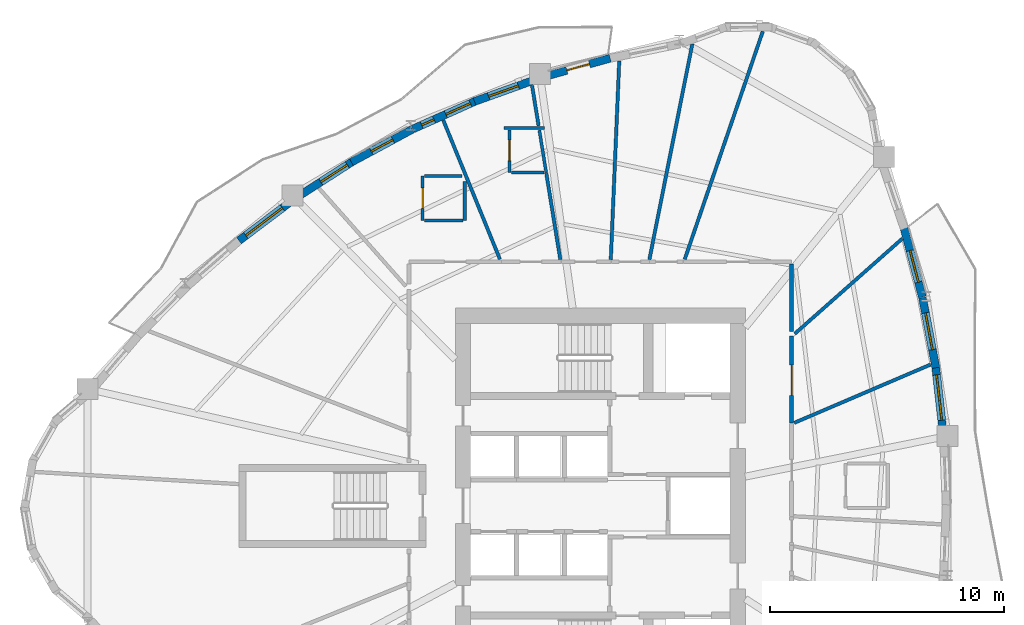
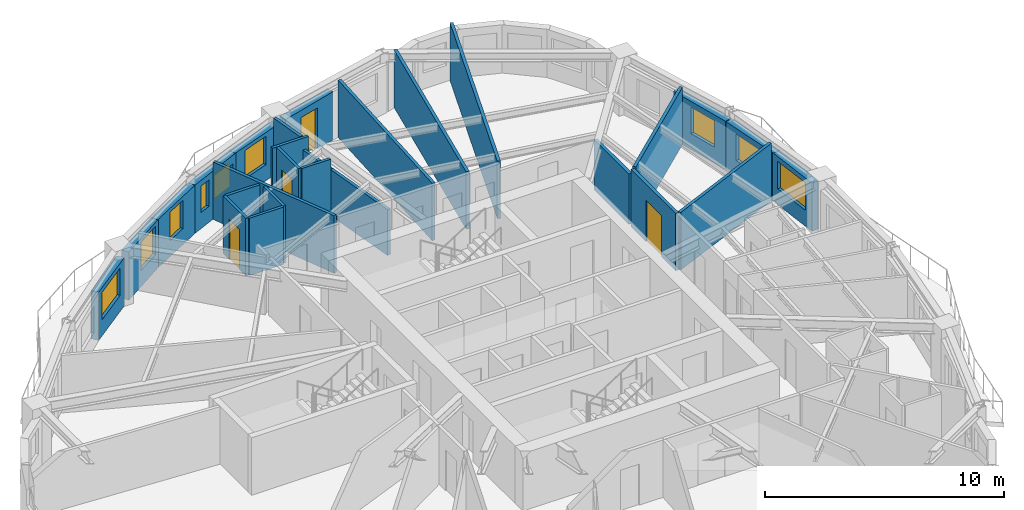
# One storey, part 8 of 13: 27 walls, 9 windows, 4 doors, 13 openings.
"""IFC4 building model written with IfcOpenShell, lengths in metres."""

from ifc_helpers import new_model, si_unit, direction, frame, frame_2d, origin, place, context, subcontext, project, spatial, rectangle, extrude, source, transform, mapped, material, layer, layer_set, type_object, element, fill, save


model = new_model("IFC4")

# Units and contexts
model_context = context("Model", 3, precision=1e-05, world=origin(), true_north=direction((0.0, 1.0)))
body_context = subcontext(model_context, "Body", "Model", "MODEL_VIEW")
ifc_project = project(units=[si_unit("LENGTHUNIT", "METRE"), si_unit("AREAUNIT", "SQUARE_METRE"), si_unit("VOLUMEUNIT", "CUBIC_METRE"), si_unit("PLANEANGLEUNIT", "RADIAN"), si_unit("MASSUNIT", "GRAM", prefix="KILO")], contexts=[model_context])

# Site, building, storey
site_placement = place(None, origin())
site = spatial("IfcSite", under=ifc_project, at=site_placement, CompositionType="ELEMENT")
building_placement = place(site_placement, origin())
building = spatial("IfcBuilding", under=site, at=building_placement, Name="Qafzar Sky-Pleat Residences", CompositionType="ELEMENT")
storey_placement = place(building_placement, frame((0.0, 0.0, 105.60009765625)))
storey = spatial("IfcBuildingStorey", under=building, at=storey_placement, Name="L31", CompositionType="ELEMENT", Elevation=105.60009765625)

# Wall, opening, door
ifc_material_1 = material(Name="Acoustic gypsum plasterboard partition", Category="gypsum")
ifc_layer_1 = layer(ifc_material_1, 0.159912109375)
ifc_layer_set_1 = layer_set([ifc_layer_1], Name="Acoustic gypsum plasterboard partition")
wall_type_1 = type_object("IfcWallType", Name="PART-COR-160", PredefinedType="PARTITIONING", material=ifc_layer_set_1)
wall_1_placement = place(storey_placement, frame((38.530029296875, 33.2548828125, 0.0), z_axis=(0.0, 0.0, 1.0), x_axis=(0.0, -1.0, 0.0)))
wall_1 = element("IfcWall", 1, at=wall_1_placement, inside=storey, type_object=wall_type_1, Name="L31 Partition Wall PART-L31-PW-007", PredefinedType="PARTITIONING", context=body_context, shape_type="SweptSolid", body=[
    extrude(rectangle(XDim=3.725830078125, YDim=0.159912109375, at=frame_2d((1.86279296875, 0.0))), origin(), (0.0, 0.0, 1.0), 2.934814453125),
])
opening_1_placement = place(wall_1_placement, frame((1.238525390625, 0.0, 0.0)))
opening_1 = element("IfcOpeningElement", 2, at=opening_1_placement, cuts=wall_1, Name="Opening ID-05", PredefinedType="OPENING", context=body_context, shape_type="SweptSolid", body=[
    extrude(rectangle(XDim=1.300048828125, YDim=2.10009765625, at=frame_2d((0.64990234375, 1.050048828125))), frame((0.0, 0.08984375, 0.0), z_axis=(0.0, -1.0, 0.0), x_axis=(1.0, 0.0, 0.0)), (0.0, 0.0, 1.0), 0.179931640625),
])
ifc_material_2 = material(Name="Timber-faced fire door", Category="wood")
door_type_1 = type_object("IfcDoorType", Name="DR-LNG-1300", OperationType="DOUBLE_DOOR_SINGLE_SWING", PredefinedType="DOOR", material=ifc_material_2)
shared_shape_1 = source(origin(), body_context, "Body", "SweptSolid", [
    extrude(rectangle(XDim=1.300048828125, YDim=2.10009765625, at=frame_2d((0.64990234375, 1.050048828125))), frame((0.0, 0.02490234375, 0.0), z_axis=(0.0, -1.0, 0.0), x_axis=(1.0, 0.0, 0.0)), (0.0, 0.0, 1.0), 0.050048828125),
])
door_1_placement = place(opening_1_placement, origin())
door_1 = element("IfcDoor", 3, at=door_1_placement, inside=storey, type_object=door_type_1, Name="L31 Communal Kitchen Door", OperationType="DOUBLE_DOOR_SINGLE_SWING", OverallHeight=2.10009765625, OverallWidth=1.300048828125, PredefinedType="DOOR", context=body_context, shape_type="MappedRepresentation", body=[
    mapped(shared_shape_1, transform((0.0, 0.0, 0.0), x_axis=(1.0, 0.0, 0.0), y_axis=(0.0, 1.0, 0.0), z_axis=(0.0, 0.0, 1.0), scale=1.0)),
])
fill(opening_1, door_1)

# Walls
wall_2_placement = place(storey_placement, frame((38.530029296875, 33.445556640625, 0.0), z_axis=(0.0, 0.0, 1.0), x_axis=(0.0, 1.0, 0.0)))
element("IfcWall", 4, at=wall_2_placement, inside=storey, type_object=wall_type_1, Name="L31 Partition Wall PART-L31-PW-051", PredefinedType="PARTITIONING", context=body_context, shape_type="SweptSolid", body=[
    extrude(rectangle(XDim=2.896484375, YDim=0.159912109375, at=frame_2d((1.4482421875, 0.0))), origin(), (0.0, 0.0, 1.0), 2.572998046875),
])
ifc_layer_2 = layer(ifc_material_1, 0.14501953125)
ifc_layer_set_2 = layer_set([ifc_layer_2], Name="Acoustic gypsum plasterboard partition")
wall_type_2 = type_object("IfcWallType", Name="PART-UNIT-145", PredefinedType="PARTITIONING", material=ifc_layer_set_2)
wall_3_placement = place(storey_placement, frame((33.9599609375, 36.541015625, 0.0), z_axis=(0.0, 0.0, 1.0), x_axis=(0.324058346196, 0.946037096662, 0.0)))
element("IfcWall", 5, at=wall_3_placement, inside=storey, type_object=wall_type_2, Name="L31 Partition Wall PART-L31-PW-033", PredefinedType="PARTITIONING", context=body_context, shape_type="SweptSolid", body=[
    extrude(rectangle(XDim=10.302490234375, YDim=0.14501953125, at=frame_2d((5.1513671875, 0.0))), origin(), (0.0, 0.0, 1.0), 2.934814453125),
])
wall_4_placement = place(storey_placement, frame((32.4482421875, 36.531982421875, 0.0), z_axis=(0.0, 0.0, 1.0), x_axis=(0.195406965811, 0.980722242897, 0.0)))
element("IfcWall", 6, at=wall_4_placement, inside=storey, type_object=wall_type_2, Name="L31 Partition Wall PART-L31-PW-036", PredefinedType="PARTITIONING", context=body_context, shape_type="SweptSolid", body=[
    extrude(rectangle(XDim=9.401611328125, YDim=0.14501953125, at=frame_2d((4.70068359375, 0.0))), origin(), (0.0, 0.0, 1.0), 2.934814453125),
])
wall_5_placement = place(storey_placement, frame((30.7978515625, 36.52099609375, 0.0), z_axis=(0.0, 0.0, 1.0), x_axis=(0.042521424142, 0.999095555234, 0.0)))
element("IfcWall", 7, at=wall_5_placement, inside=storey, type_object=wall_type_2, Name="L31 Partition Wall PART-L31-PW-039", PredefinedType="PARTITIONING", context=body_context, shape_type="SweptSolid", body=[
    extrude(rectangle(XDim=8.50341796875, YDim=0.14501953125, at=frame_2d((4.251708984375, 0.0))), origin(), (0.0, 0.0, 1.0), 2.934814453125),
])
wall_6_placement = place(storey_placement, frame((23.6328125, 42.4931640625, 0.0), z_axis=(0.0, 0.0, 1.0), x_axis=(0.37719666663, -0.926133184096, 0.0)))
element("IfcWall", 8, at=wall_6_placement, inside=storey, type_object=wall_type_2, Name="L31 Partition Wall PART-L31-PW-041", PredefinedType="PARTITIONING", context=body_context, shape_type="SweptSolid", body=[
    extrude(rectangle(XDim=6.422607421875, YDim=0.14501953125, at=frame_2d((3.21142578125, 0.0))), origin(), (0.0, 0.0, 1.0), 2.934814453125),
])
wall_7_placement = place(storey_placement, frame((38.64599609375, 29.54638671875, 0.0), z_axis=(0.0, 0.0, 1.0), x_axis=(0.919441504603, 0.393226804293, 0.0)))
element("IfcWall", 9, at=wall_7_placement, inside=storey, type_object=wall_type_2, Name="L31 Partition Wall PART-L31-PW-042", PredefinedType="PARTITIONING", context=body_context, shape_type="SweptSolid", body=[
    extrude(rectangle(XDim=6.3408203125, YDim=0.14501953125, at=frame_2d((3.17041015625, 0.0))), origin(), (0.0, 0.0, 1.0), 2.934814453125),
])
wall_8_placement = place(storey_placement, frame((38.6640625, 33.3544921875, 0.0), z_axis=(0.0, 0.0, 1.0), x_axis=(0.749069296105, 0.662491652501, 0.0)))
element("IfcWall", 10, at=wall_8_placement, inside=storey, type_object=wall_type_2, Name="L31 Partition Wall PART-L31-PW-046", PredefinedType="PARTITIONING", context=body_context, shape_type="SweptSolid", body=[
    extrude(rectangle(XDim=6.150146484375, YDim=0.14501953125, at=frame_2d((3.0751953125, 0.0))), origin(), (0.0, 0.0, 1.0), 2.934814453125),
])
wall_9_placement = place(storey_placement, frame((28.035888671875, 40.24609375, 0.0), z_axis=(0.0, 0.0, 1.0), x_axis=(0.160412651813, -0.987050039835, 0.0)))
element("IfcWall", 11, at=wall_9_placement, inside=storey, type_object=wall_type_2, Name="L31 Partition Wall PART-L31-PW-048", PredefinedType="PARTITIONING", context=body_context, shape_type="SweptSolid", body=[
    extrude(rectangle(XDim=3.765380859375, YDim=0.14501953125, at=frame_2d((1.8828125, 0.0))), origin(), (0.0, 0.0, 1.0), 2.352783203125),
])
wall_10_placement = place(storey_placement, frame((27.430908203125, 43.97119140625, 0.0), z_axis=(0.0, 0.0, 1.0), x_axis=(0.160707234414, -0.987002119961, 0.0)))
element("IfcWall", 12, at=wall_10_placement, inside=storey, type_object=wall_type_2, Name="L31 Partition Wall PART-L31-PW-060", PredefinedType="PARTITIONING", context=body_context, shape_type="SweptSolid", body=[
    extrude(rectangle(XDim=1.74853515625, YDim=0.14501953125, at=frame_2d((0.874267578125, 0.0))), origin(), (0.0, 0.0, 1.0), 2.934814453125),
])

# Wall, opening, door
ifc_material_3 = material(Name="Moisture-resistant gypsum partition", Category="gypsum")
ifc_layer_3 = layer(ifc_material_3, 0.1298828125)
ifc_layer_set_3 = layer_set([ifc_layer_3], Name="Moisture-resistant gypsum partition")
wall_type_3 = type_object("IfcWallType", Name="PART-WET-130", PredefinedType="PARTITIONING", material=ifc_layer_set_3)
wall_11_placement = place(storey_placement, frame((26.468994140625, 42.072998046875, 0.0), z_axis=(0.0, 0.0, 1.0), x_axis=(0.0, -1.0, 0.0)))
wall_11 = element("IfcWall", 13, at=wall_11_placement, inside=storey, type_object=wall_type_3, Name="L31 Partition Wall PART-L31-PW-022", PredefinedType="PARTITIONING", context=body_context, shape_type="SweptSolid", body=[
    extrude(rectangle(XDim=1.826904296875, YDim=0.1298828125, at=frame_2d((0.91357421875, 0.0))), origin(), (0.0, 0.0, 1.0), 2.934814453125),
])
opening_2_placement = place(wall_11_placement, frame((0.43701171875, 0.0, 0.0)))
opening_2 = element("IfcOpeningElement", 14, at=opening_2_placement, cuts=wall_11, Name="Opening ID-07", PredefinedType="OPENING", context=body_context, shape_type="SweptSolid", body=[
    extrude(rectangle(XDim=0.8798828125, YDim=2.050048828125, at=frame_2d((0.43994140625, 1.02490234375))), frame((0.0, 0.074951171875, 0.0), z_axis=(0.0, -1.0, 0.0), x_axis=(1.0, 0.0, 0.0)), (0.0, 0.0, 1.0), 0.14990234375),
])
door_type_2 = type_object("IfcDoorType", Name="DR-WET-880", OperationType="NOTDEFINED", PredefinedType="DOOR", material=ifc_material_2)
shared_shape_2 = source(origin(), body_context, "Body", "SweptSolid", [
    extrude(rectangle(XDim=0.8798828125, YDim=2.050048828125, at=frame_2d((0.43994140625, 1.02490234375))), frame((0.0, 0.02490234375, 0.0), z_axis=(0.0, -1.0, 0.0), x_axis=(1.0, 0.0, 0.0)), (0.0, 0.0, 1.0), 0.050048828125),
])
door_2_placement = place(opening_2_placement, origin())
door_2 = element("IfcDoor", 15, at=door_2_placement, inside=storey, type_object=door_type_2, Name="L31 En-suite Bathroom 8 Door", OperationType="SINGLE_SWING_LEFT", OverallHeight=2.050048828125, OverallWidth=0.8798828125, PredefinedType="DOOR", context=body_context, shape_type="MappedRepresentation", body=[
    mapped(shared_shape_2, transform((0.0, 0.0, 0.0), x_axis=(1.0, 0.0, 0.0), y_axis=(0.0, 1.0, 0.0), z_axis=(0.0, 0.0, 1.0), scale=1.0)),
])
fill(opening_2, door_2)

wall_12_placement = place(storey_placement, frame((22.7529296875, 40.10693359375, 0.0), z_axis=(0.0, 0.0, 1.0), x_axis=(0.0, -1.0, 0.0)))
wall_12 = element("IfcWall", 16, at=wall_12_placement, inside=storey, type_object=wall_type_3, Name="L31 Partition Wall PART-L31-PW-023", PredefinedType="PARTITIONING", context=body_context, shape_type="SweptSolid", body=[
    extrude(rectangle(XDim=1.89990234375, YDim=0.1298828125, at=frame_2d((0.949951171875, 0.0))), origin(), (0.0, 0.0, 1.0), 2.934814453125),
])
opening_3_placement = place(wall_12_placement, frame((0.510009765625, 0.0, 0.0)))
opening_3 = element("IfcOpeningElement", 17, at=opening_3_placement, cuts=wall_12, Name="Opening ID-07", PredefinedType="OPENING", context=body_context, shape_type="SweptSolid", body=[
    extrude(rectangle(XDim=0.8798828125, YDim=2.050048828125, at=frame_2d((0.43994140625, 1.02490234375))), frame((0.0, 0.074951171875, 0.0), z_axis=(0.0, -1.0, 0.0), x_axis=(1.0, 0.0, 0.0)), (0.0, 0.0, 1.0), 0.14990234375),
])
door_3_placement = place(opening_3_placement, origin())
door_3 = element("IfcDoor", 18, at=door_3_placement, inside=storey, type_object=door_type_2, Name="L31 En-suite Bathroom 10 Door", OperationType="SINGLE_SWING_RIGHT", OverallHeight=2.050048828125, OverallWidth=0.8798828125, PredefinedType="DOOR", context=body_context, shape_type="MappedRepresentation", body=[
    mapped(shared_shape_2, transform((0.0, 0.0, 0.0), x_axis=(1.0, 0.0, 0.0), y_axis=(0.0, 1.0, 0.0), z_axis=(0.0, 0.0, 1.0), scale=1.0)),
])
fill(opening_3, door_3)

# Walls
wall_13_placement = place(storey_placement, frame((27.741455078125, 42.062744140625, 0.0), z_axis=(0.0, 0.0, 1.0), x_axis=(0.160081724147, -0.98710376435, 0.0)))
element("IfcWall", 19, at=wall_13_placement, inside=storey, type_object=wall_type_3, Name="L31 Partition Wall PART-L31-PW-056", PredefinedType="PARTITIONING", context=body_context, shape_type="SweptSolid", body=[
    extrude(rectangle(XDim=1.825439453125, YDim=0.1298828125, at=frame_2d((0.91259765625, 0.0))), origin(), (0.0, 0.0, 1.0), 2.352783203125),
])
wall_14_placement = place(storey_placement, frame((24.552978515625, 38.20703125, 0.0), z_axis=(0.0, 0.0, 1.0), x_axis=(0.0, 1.0, 0.0)))
element("IfcWall", 20, at=wall_14_placement, inside=storey, type_object=wall_type_3, Name="L31 Partition Wall PART-L31-PW-059", PredefinedType="PARTITIONING", context=body_context, shape_type="SweptSolid", body=[
    extrude(rectangle(XDim=1.659912109375, YDim=0.1298828125, at=frame_2d((0.830078125, 0.0))), origin(), (0.0, 0.0, 1.0), 2.934814453125),
])
wall_15_placement = place(storey_placement, frame((22.825927734375, 40.10693359375, 0.0), z_axis=(0.0, 0.0, 1.0), x_axis=(1.0, 0.0, 0.0)))
element("IfcWall", 21, at=wall_15_placement, inside=storey, type_object=wall_type_3, Name="L31 Partition Wall PART-L31-PW-064", PredefinedType="PARTITIONING", context=body_context, shape_type="SweptSolid", body=[
    extrude(rectangle(XDim=1.6142578125, YDim=0.1298828125, at=frame_2d((0.80712890625, 0.0))), origin(), (0.0, 0.0, 1.0), 2.934814453125),
])
wall_16_placement = place(storey_placement, frame((22.825927734375, 38.20703125, 0.0), z_axis=(0.0, 0.0, 1.0), x_axis=(1.0, 0.0, 0.0)))
element("IfcWall", 22, at=wall_16_placement, inside=storey, type_object=wall_type_3, Name="L31 Partition Wall PART-L31-PW-065", PredefinedType="PARTITIONING", context=body_context, shape_type="SweptSolid", body=[
    extrude(rectangle(XDim=1.654052734375, YDim=0.1298828125, at=frame_2d((0.8271484375, 0.0))), origin(), (0.0, 0.0, 1.0), 2.934814453125),
])
wall_17_placement = place(storey_placement, frame((26.5419921875, 40.24609375, 0.0), z_axis=(0.0, 0.0, 1.0), x_axis=(1.0, 0.0, 0.0)))
element("IfcWall", 23, at=wall_17_placement, inside=storey, type_object=wall_type_3, Name="L31 Partition Wall PART-L31-PW-074", PredefinedType="PARTITIONING", context=body_context, shape_type="SweptSolid", body=[
    extrude(rectangle(XDim=1.402099609375, YDim=0.1298828125, at=frame_2d((0.701171875, 0.0))), origin(), (0.0, 0.0, 1.0), 2.934814453125),
])
wall_18_placement = place(storey_placement, frame((26.22900390625, 42.14599609375, 0.0), z_axis=(0.0, 0.0, 1.0), x_axis=(1.0, 0.0, 0.0)))
element("IfcWall", 24, at=wall_18_placement, inside=storey, type_object=wall_type_3, Name="L31 Partition Wall PART-L31-PW-078", PredefinedType="PARTITIONING", context=body_context, shape_type="SweptSolid", body=[
    extrude(rectangle(XDim=1.739013671875, YDim=0.1298828125, at=frame_2d((0.86962890625, 0.0))), origin(), (0.0, 0.0, 1.0), 2.934814453125),
])

# Wall, opening, window
ifc_material_4 = material(Name="Precast concrete C40/50 with honed Riyadh limestone", Category="concrete")
ifc_layer_4 = layer(ifc_material_4, 0.340087890625)
ifc_layer_set_4 = layer_set([ifc_layer_4], Name="Precast concrete C40/50 with honed Riyadh limestone")
wall_type_4 = type_object("IfcWallType", Name="WALL-EXT-340", PredefinedType="SOLIDWALL", material=ifc_layer_set_4)
wall_19_placement = place(storey_placement, frame((45.00439453125, 29.194091796875, 0.0), z_axis=(0.0, 0.0, 1.0), x_axis=(-0.113223342564, 0.993569562083, 0.0)))
wall_19 = element("IfcWall", 25, at=wall_19_placement, inside=storey, type_object=wall_type_4, Name="L31 Limestone Facade Wall 29", PredefinedType="SOLIDWALL", context=body_context, shape_type="SweptSolid", body=[
    extrude(rectangle(XDim=2.811767578125, YDim=0.340087890625, at=frame_2d((1.40576171875, 0.0))), origin(), (0.0, 0.0, 1.0), 2.46484375),
])
opening_4_placement = place(wall_19_placement, frame((0.466064453125, 0.0, 0.820068359375)))
opening_4 = element("IfcOpeningElement", 26, at=opening_4_placement, cuts=wall_19, Name="Opening WN-08", PredefinedType="OPENING", context=body_context, shape_type="SweptSolid", body=[
    extrude(rectangle(XDim=1.949951171875, YDim=1.39990234375, at=frame_2d((0.97509765625, 0.699951171875))), frame((0.0, 0.18017578125, 0.0), z_axis=(0.0, -1.0, 0.0), x_axis=(1.0, 0.0, 0.0)), (0.0, 0.0, 1.0), 0.360107421875),
])
ifc_material_5 = material(Name="Solar-control low-E glass in bronze aluminium frame", Category="glass")
window_type_1 = type_object("IfcWindowType", Name="WIN-08", PartitioningType="DOUBLE_PANEL_VERTICAL", PredefinedType="WINDOW", material=ifc_material_5)
shared_shape_3 = source(origin(), body_context, "Body", "SweptSolid", [
    extrude(rectangle(XDim=1.949951171875, YDim=1.39990234375, at=frame_2d((0.97509765625, 0.699951171875))), frame((0.0, 0.030029296875, 0.0), z_axis=(0.0, -1.0, 0.0), x_axis=(1.0, 0.0, 0.0)), (0.0, 0.0, 1.0), 0.06005859375),
])
window_1_placement = place(opening_4_placement, origin())
window_1 = element("IfcWindow", 27, at=window_1_placement, inside=storey, type_object=window_type_1, Name="L31 Punched Facade Window 29", OverallHeight=1.39990234375, OverallWidth=1.949951171875, PartitioningType="SINGLE_PANEL", PredefinedType="WINDOW", context=body_context, shape_type="MappedRepresentation", body=[
    mapped(shared_shape_3, transform((0.0, 0.0, 0.0), x_axis=(1.0, 0.0, 0.0), y_axis=(0.0, 1.0, 0.0), z_axis=(0.0, 0.0, 1.0), scale=1.0)),
])
fill(opening_4, window_1)

wall_20_placement = place(storey_placement, frame((44.699462890625, 31.900146484375, 0.0), z_axis=(0.0, 0.0, 1.0), x_axis=(-0.186689944156, 0.982418884566, 0.0)))
wall_20 = element("IfcWall", 28, at=wall_20_placement, inside=storey, type_object=wall_type_4, Name="L31 Limestone Facade Wall 30", PredefinedType="SOLIDWALL", context=body_context, shape_type="SweptSolid", body=[
    extrude(rectangle(XDim=3.05615234375, YDim=0.340087890625, at=frame_2d((1.528076171875, 0.0))), origin(), (0.0, 0.0, 1.0), 2.46484375),
])
opening_5_placement = place(wall_20_placement, frame((0.791015625, 0.0, 0.820068359375)))
opening_5 = element("IfcOpeningElement", 29, at=opening_5_placement, cuts=wall_20, Name="Opening WN-09", PredefinedType="OPENING", context=body_context, shape_type="SweptSolid", body=[
    extrude(rectangle(XDim=1.60009765625, YDim=1.35009765625, at=frame_2d((0.800048828125, 0.675048828125))), frame((0.0, 0.18017578125, 0.0), z_axis=(0.0, -1.0, 0.0), x_axis=(1.0, 0.0, 0.0)), (0.0, 0.0, 1.0), 0.360107421875),
])
window_type_2 = type_object("IfcWindowType", Name="WIN-09", PartitioningType="DOUBLE_PANEL_VERTICAL", PredefinedType="WINDOW", material=ifc_material_5)
shared_shape_4 = source(origin(), body_context, "Body", "SweptSolid", [
    extrude(rectangle(XDim=1.60009765625, YDim=1.35009765625, at=frame_2d((0.800048828125, 0.675048828125))), frame((0.0, 0.030029296875, 0.0), z_axis=(0.0, -1.0, 0.0), x_axis=(1.0, 0.0, 0.0)), (0.0, 0.0, 1.0), 0.06005859375),
])
window_2_placement = place(opening_5_placement, origin())
window_2 = element("IfcWindow", 30, at=window_2_placement, inside=storey, type_object=window_type_2, Name="L31 Punched Facade Window 30", OverallHeight=1.35009765625, OverallWidth=1.60009765625, PartitioningType="SINGLE_PANEL", PredefinedType="WINDOW", context=body_context, shape_type="MappedRepresentation", body=[
    mapped(shared_shape_4, transform((0.0, 0.0, 0.0), x_axis=(1.0, 0.0, 0.0), y_axis=(0.0, 1.0, 0.0), z_axis=(0.0, 0.0, 1.0), scale=1.0)),
])
fill(opening_5, window_2)

wall_21_placement = place(storey_placement, frame((44.122802734375, 34.9296875, 0.0), z_axis=(0.0, 0.0, 1.0), x_axis=(-0.257080487516, 0.96638999526, 0.0)))
wall_21 = element("IfcWall", 31, at=wall_21_placement, inside=storey, type_object=wall_type_4, Name="L31 Limestone Facade Wall 31", PredefinedType="SOLIDWALL", context=body_context, shape_type="SweptSolid", body=[
    extrude(rectangle(XDim=3.1064453125, YDim=0.340087890625, at=frame_2d((1.55322265625, 0.0))), origin(), (0.0, 0.0, 1.0), 2.46484375),
])
opening_6_placement = place(wall_21_placement, frame((0.652099609375, 0.0, 0.820068359375)))
opening_6 = element("IfcOpeningElement", 32, at=opening_6_placement, cuts=wall_21, Name="Opening WN-10", PredefinedType="OPENING", context=body_context, shape_type="SweptSolid", body=[
    extrude(rectangle(XDim=1.39990234375, YDim=1.35009765625, at=frame_2d((0.699951171875, 0.675048828125))), frame((0.0, 0.18017578125, 0.0), z_axis=(0.0, -1.0, 0.0), x_axis=(1.0, 0.0, 0.0)), (0.0, 0.0, 1.0), 0.360107421875),
])
window_type_3 = type_object("IfcWindowType", Name="WIN-10", PartitioningType="SINGLE_PANEL", PredefinedType="WINDOW", material=ifc_material_5)
shared_shape_5 = source(origin(), body_context, "Body", "SweptSolid", [
    extrude(rectangle(XDim=1.39990234375, YDim=1.35009765625, at=frame_2d((0.699951171875, 0.675048828125))), frame((0.0, 0.030029296875, 0.0), z_axis=(0.0, -1.0, 0.0), x_axis=(1.0, 0.0, 0.0)), (0.0, 0.0, 1.0), 0.06005859375),
])
window_3_placement = place(opening_6_placement, origin())
window_3 = element("IfcWindow", 33, at=window_3_placement, inside=storey, type_object=window_type_3, Name="L31 Punched Facade Window 31", OverallHeight=1.35009765625, OverallWidth=1.39990234375, PartitioningType="SINGLE_PANEL", PredefinedType="WINDOW", context=body_context, shape_type="MappedRepresentation", body=[
    mapped(shared_shape_5, transform((0.0, 0.0, 0.0), x_axis=(1.0, 0.0, 0.0), y_axis=(0.0, 1.0, 0.0), z_axis=(0.0, 0.0, 1.0), scale=1.0)),
])
fill(opening_6, window_3)

# Wall, opening, door
wall_22_placement = place(storey_placement, frame((30.772705078125, 45.139404296875, 0.0), z_axis=(0.0, 0.0, 1.0), x_axis=(-0.963038749839, -0.269362889627, 0.0)))
wall_22 = element("IfcWall", 34, at=wall_22_placement, inside=storey, type_object=wall_type_4, Name="L31 Limestone Facade Wall 40", PredefinedType="SOLIDWALL", context=body_context, shape_type="SweptSolid", body=[
    extrude(rectangle(XDim=2.8486328125, YDim=0.340087890625, at=frame_2d((1.42431640625, 0.0))), origin(), (0.0, 0.0, 1.0), 2.46484375),
])
opening_7_placement = place(wall_22_placement, frame((0.92431640625, 0.0, 0.0)))
opening_7 = element("IfcOpeningElement", 35, at=opening_7_placement, cuts=wall_22, Name="Opening ED-05", PredefinedType="OPENING", context=body_context, shape_type="SweptSolid", body=[
    extrude(rectangle(XDim=1.0, YDim=2.10009765625, at=frame_2d((0.5, 1.050048828125))), frame((0.0, 0.18017578125, 0.0), z_axis=(0.0, -1.0, 0.0), x_axis=(1.0, 0.0, 0.0)), (0.0, 0.0, 1.0), 0.360107421875),
])
ifc_material_6 = material(Name="Glazed bronze aluminium door", Category="aluminium")
door_type_3 = type_object("IfcDoorType", Name="DR-BAL-1000", OperationType="NOTDEFINED", PredefinedType="DOOR", material=ifc_material_6)
shared_shape_6 = source(origin(), body_context, "Body", "SweptSolid", [
    extrude(rectangle(XDim=1.0, YDim=2.10009765625, at=frame_2d((0.5, 1.050048828125))), frame((0.0, 0.02490234375, 0.0), z_axis=(0.0, -1.0, 0.0), x_axis=(1.0, 0.0, 0.0)), (0.0, 0.0, 1.0), 0.050048828125),
])
door_4_placement = place(opening_7_placement, origin())
door_4 = element("IfcDoor", 36, at=door_4_placement, inside=storey, type_object=door_type_3, Name="L31 Glazed Balcony Door 2", OperationType="SINGLE_SWING_LEFT", OverallHeight=2.10009765625, OverallWidth=1.0, PredefinedType="DOOR", context=body_context, shape_type="MappedRepresentation", body=[
    mapped(shared_shape_6, transform((0.0, 0.0, 0.0), x_axis=(1.0, 0.0, 0.0), y_axis=(0.0, 1.0, 0.0), z_axis=(0.0, 0.0, 1.0), scale=1.0)),
])
fill(opening_7, door_4)

# Wall, opening, window
wall_23_placement = place(storey_placement, frame((27.60302734375, 44.236083984375, 0.0), z_axis=(0.0, 0.0, 1.0), x_axis=(-0.941110715193, -0.33809853852, 0.0)))
wall_23 = element("IfcWall", 37, at=wall_23_placement, inside=storey, type_object=wall_type_4, Name="L31 Limestone Facade Wall 41", PredefinedType="SOLIDWALL", context=body_context, shape_type="SweptSolid", body=[
    extrude(rectangle(XDim=2.798828125, YDim=0.340087890625, at=frame_2d((1.3994140625, 0.0))), origin(), (0.0, 0.0, 1.0), 2.46484375),
])
opening_8_placement = place(wall_23_placement, frame((0.807373046875, 0.0, 0.820068359375)))
opening_8 = element("IfcOpeningElement", 38, at=opening_8_placement, cuts=wall_23, Name="Opening WN-04", PredefinedType="OPENING", context=body_context, shape_type="SweptSolid", body=[
    extrude(rectangle(XDim=1.35009765625, YDim=1.449951171875, at=frame_2d((0.675048828125, 0.72509765625))), frame((0.0, 0.18017578125, 0.0), z_axis=(0.0, -1.0, 0.0), x_axis=(1.0, 0.0, 0.0)), (0.0, 0.0, 1.0), 0.360107421875),
])
window_type_4 = type_object("IfcWindowType", Name="WIN-04", PartitioningType="SINGLE_PANEL", PredefinedType="WINDOW", material=ifc_material_5)
shared_shape_7 = source(origin(), body_context, "Body", "SweptSolid", [
    extrude(rectangle(XDim=1.35009765625, YDim=1.449951171875, at=frame_2d((0.675048828125, 0.72509765625))), frame((0.0, 0.030029296875, 0.0), z_axis=(0.0, -1.0, 0.0), x_axis=(1.0, 0.0, 0.0)), (0.0, 0.0, 1.0), 0.06005859375),
])
window_4_placement = place(opening_8_placement, origin())
window_4 = element("IfcWindow", 39, at=window_4_placement, inside=storey, type_object=window_type_4, Name="L31 Punched Facade Window 41", OverallHeight=1.449951171875, OverallWidth=1.35009765625, PartitioningType="SINGLE_PANEL", PredefinedType="WINDOW", context=body_context, shape_type="MappedRepresentation", body=[
    mapped(shared_shape_7, transform((0.0, 0.0, 0.0), x_axis=(1.0, 0.0, 0.0), y_axis=(0.0, 1.0, 0.0), z_axis=(0.0, 0.0, 1.0), scale=1.0)),
])
fill(opening_8, window_4)

# Wall, openings, windows
wall_24_placement = place(storey_placement, frame((25.05126953125, 43.32275390625, 0.0), z_axis=(0.0, 0.0, 1.0), x_axis=(-0.913432176814, -0.406990980686, 0.0)))
wall_24 = element("IfcWall", 40, at=wall_24_placement, inside=storey, type_object=wall_type_4, Name="L31 Limestone Facade Wall 42", PredefinedType="SOLIDWALL", context=body_context, shape_type="SweptSolid", body=[
    extrude(rectangle(XDim=2.975341796875, YDim=0.340087890625, at=frame_2d((1.48779296875, 0.0))), origin(), (0.0, 0.0, 1.0), 2.46484375),
])
opening_9_placement = place(wall_24_placement, frame((0.28125, 0.0, 0.820068359375)))
opening_9 = element("IfcOpeningElement", 41, at=opening_9_placement, cuts=wall_24, Name="Opening WN-16", PredefinedType="OPENING", context=body_context, shape_type="SweptSolid", body=[
    extrude(rectangle(XDim=1.14990234375, YDim=1.199951171875, at=frame_2d((0.574951171875, 0.60009765625))), frame((0.0, 0.18017578125, 0.0), z_axis=(0.0, -1.0, 0.0), x_axis=(1.0, 0.0, 0.0)), (0.0, 0.0, 1.0), 0.360107421875),
])
opening_10_placement = place(wall_24_placement, frame((1.984130859375, 0.0, 0.820068359375)))
opening_10 = element("IfcOpeningElement", 42, at=opening_10_placement, cuts=wall_24, Name="Opening WN-17", PredefinedType="OPENING", context=body_context, shape_type="SweptSolid", body=[
    extrude(rectangle(XDim=0.580078125, YDim=1.35009765625, at=frame_2d((0.2900390625, 0.675048828125))), frame((0.0, 0.18017578125, 0.0), z_axis=(0.0, -1.0, 0.0), x_axis=(1.0, 0.0, 0.0)), (0.0, 0.0, 1.0), 0.360107421875),
])
window_type_5 = type_object("IfcWindowType", Name="WIN-17", PartitioningType="SINGLE_PANEL", PredefinedType="WINDOW", material=ifc_material_5)
shared_shape_8 = source(origin(), body_context, "Body", "SweptSolid", [
    extrude(rectangle(XDim=0.580078125, YDim=1.35009765625, at=frame_2d((0.2900390625, 0.675048828125))), frame((0.0, 0.030029296875, 0.0), z_axis=(0.0, -1.0, 0.0), x_axis=(1.0, 0.0, 0.0)), (0.0, 0.0, 1.0), 0.06005859375),
])
window_5_placement = place(opening_10_placement, origin())
window_5 = element("IfcWindow", 43, at=window_5_placement, inside=storey, type_object=window_type_5, Name="L31 Punched Facade Window 42-2", OverallHeight=1.35009765625, OverallWidth=0.580078125, PartitioningType="SINGLE_PANEL", PredefinedType="WINDOW", context=body_context, shape_type="MappedRepresentation", body=[
    mapped(shared_shape_8, transform((0.0, 0.0, 0.0), x_axis=(1.0, 0.0, 0.0), y_axis=(0.0, 1.0, 0.0), z_axis=(0.0, 0.0, 1.0), scale=1.0)),
])
fill(opening_10, window_5)
window_type_6 = type_object("IfcWindowType", Name="WIN-16", PartitioningType="SINGLE_PANEL", PredefinedType="WINDOW", material=ifc_material_5)
shared_shape_9 = source(origin(), body_context, "Body", "SweptSolid", [
    extrude(rectangle(XDim=1.14990234375, YDim=1.199951171875, at=frame_2d((0.574951171875, 0.60009765625))), frame((0.0, 0.030029296875, 0.0), z_axis=(0.0, -1.0, 0.0), x_axis=(1.0, 0.0, 0.0)), (0.0, 0.0, 1.0), 0.06005859375),
])
window_6_placement = place(opening_9_placement, origin())
window_6 = element("IfcWindow", 44, at=window_6_placement, inside=storey, type_object=window_type_6, Name="L31 Punched Facade Window 42", OverallHeight=1.199951171875, OverallWidth=1.14990234375, PartitioningType="SINGLE_PANEL", PredefinedType="WINDOW", context=body_context, shape_type="MappedRepresentation", body=[
    mapped(shared_shape_9, transform((0.0, 0.0, 0.0), x_axis=(1.0, 0.0, 0.0), y_axis=(0.0, 1.0, 0.0), z_axis=(0.0, 0.0, 1.0), scale=1.0)),
])
fill(opening_9, window_6)

# Wall, opening, window
wall_25_placement = place(storey_placement, frame((22.30908203125, 42.099609375, 0.0), z_axis=(0.0, 0.0, 1.0), x_axis=(-0.880081290793, -0.474823042402, 0.0)))
wall_25 = element("IfcWall", 45, at=wall_25_placement, inside=storey, type_object=wall_type_4, Name="L31 Limestone Facade Wall 43", PredefinedType="SOLIDWALL", context=body_context, shape_type="SweptSolid", body=[
    extrude(rectangle(XDim=2.95849609375, YDim=0.340087890625, at=frame_2d((1.479248046875, 0.0))), origin(), (0.0, 0.0, 1.0), 2.46484375),
])
opening_11_placement = place(wall_25_placement, frame((0.9443359375, 0.0, 0.820068359375)))
opening_11 = element("IfcOpeningElement", 46, at=opening_11_placement, cuts=wall_25, Name="Opening WN-06", PredefinedType="OPENING", context=body_context, shape_type="SweptSolid", body=[
    extrude(rectangle(XDim=1.050048828125, YDim=1.449951171875, at=frame_2d((0.52490234375, 0.72509765625))), frame((0.0, 0.18017578125, 0.0), z_axis=(0.0, -1.0, 0.0), x_axis=(1.0, 0.0, 0.0)), (0.0, 0.0, 1.0), 0.360107421875),
])
window_type_7 = type_object("IfcWindowType", Name="WIN-06", PartitioningType="SINGLE_PANEL", PredefinedType="WINDOW", material=ifc_material_5)
shared_shape_10 = source(origin(), body_context, "Body", "SweptSolid", [
    extrude(rectangle(XDim=1.050048828125, YDim=1.449951171875, at=frame_2d((0.52490234375, 0.72509765625))), frame((0.0, 0.030029296875, 0.0), z_axis=(0.0, -1.0, 0.0), x_axis=(1.0, 0.0, 0.0)), (0.0, 0.0, 1.0), 0.06005859375),
])
window_7_placement = place(opening_11_placement, origin())
window_7 = element("IfcWindow", 47, at=window_7_placement, inside=storey, type_object=window_type_7, Name="L31 Punched Facade Window 43", OverallHeight=1.449951171875, OverallWidth=1.050048828125, PartitioningType="SINGLE_PANEL", PredefinedType="WINDOW", context=body_context, shape_type="MappedRepresentation", body=[
    mapped(shared_shape_10, transform((0.0, 0.0, 0.0), x_axis=(1.0, 0.0, 0.0), y_axis=(0.0, 1.0, 0.0), z_axis=(0.0, 0.0, 1.0), scale=1.0)),
])
fill(opening_11, window_7)

wall_26_placement = place(storey_placement, frame((19.78173828125, 40.739990234375, 0.0), z_axis=(0.0, 0.0, 1.0), x_axis=(-0.841533313119, -0.540205222958, 0.0)))
wall_26 = element("IfcWall", 48, at=wall_26_placement, inside=storey, type_object=wall_type_4, Name="L31 Limestone Facade Wall 44", PredefinedType="SOLIDWALL", context=body_context, shape_type="SweptSolid", body=[
    extrude(rectangle(XDim=2.748291015625, YDim=0.340087890625, at=frame_2d((1.3740234375, 0.0))), origin(), (0.0, 0.0, 1.0), 2.46484375),
])
opening_12_placement = place(wall_26_placement, frame((0.296630859375, 0.0, 0.820068359375)))
opening_12 = element("IfcOpeningElement", 49, at=opening_12_placement, cuts=wall_26, Name="Opening WN-04", PredefinedType="OPENING", context=body_context, shape_type="SweptSolid", body=[
    extrude(rectangle(XDim=1.35009765625, YDim=1.449951171875, at=frame_2d((0.675048828125, 0.72509765625))), frame((0.0, 0.18017578125, 0.0), z_axis=(0.0, -1.0, 0.0), x_axis=(1.0, 0.0, 0.0)), (0.0, 0.0, 1.0), 0.360107421875),
])
window_8_placement = place(opening_12_placement, origin())
window_8 = element("IfcWindow", 50, at=window_8_placement, inside=storey, type_object=window_type_4, Name="L31 Punched Facade Window 44", OverallHeight=1.449951171875, OverallWidth=1.35009765625, PartitioningType="SINGLE_PANEL", PredefinedType="WINDOW", context=body_context, shape_type="MappedRepresentation", body=[
    mapped(shared_shape_7, transform((0.0, 0.0, 0.0), x_axis=(1.0, 0.0, 0.0), y_axis=(0.0, 1.0, 0.0), z_axis=(0.0, 0.0, 1.0), scale=1.0)),
])
fill(opening_12, window_8)

wall_27_placement = place(storey_placement, frame((17.102294921875, 39.0, 0.0), z_axis=(0.0, 0.0, 1.0), x_axis=(-0.798386927074, -0.602144762226, 0.0)))
wall_27 = element("IfcWall", 51, at=wall_27_placement, inside=storey, type_object=wall_type_4, Name="L31 Limestone Facade Wall 45", PredefinedType="SOLIDWALL", context=body_context, shape_type="SweptSolid", body=[
    extrude(rectangle(XDim=2.765625, YDim=0.340087890625, at=frame_2d((1.3828125, 0.0))), origin(), (0.0, 0.0, 1.0), 2.46484375),
])
opening_13_placement = place(wall_27_placement, frame((0.44287109375, 0.0, 0.820068359375)))
opening_13 = element("IfcOpeningElement", 52, at=opening_13_placement, cuts=wall_27, Name="Opening WN-08", PredefinedType="OPENING", context=body_context, shape_type="SweptSolid", body=[
    extrude(rectangle(XDim=1.949951171875, YDim=1.39990234375, at=frame_2d((0.97509765625, 0.699951171875))), frame((0.0, 0.18017578125, 0.0), z_axis=(0.0, -1.0, 0.0), x_axis=(1.0, 0.0, 0.0)), (0.0, 0.0, 1.0), 0.360107421875),
])
window_9_placement = place(opening_13_placement, origin())
window_9 = element("IfcWindow", 53, at=window_9_placement, inside=storey, type_object=window_type_1, Name="L31 Punched Facade Window 45", OverallHeight=1.39990234375, OverallWidth=1.949951171875, PartitioningType="SINGLE_PANEL", PredefinedType="WINDOW", context=body_context, shape_type="MappedRepresentation", body=[
    mapped(shared_shape_3, transform((0.0, 0.0, 0.0), x_axis=(1.0, 0.0, 0.0), y_axis=(0.0, 1.0, 0.0), z_axis=(0.0, 0.0, 1.0), scale=1.0)),
])
fill(opening_13, window_9)

save(model, "model.ifc")
